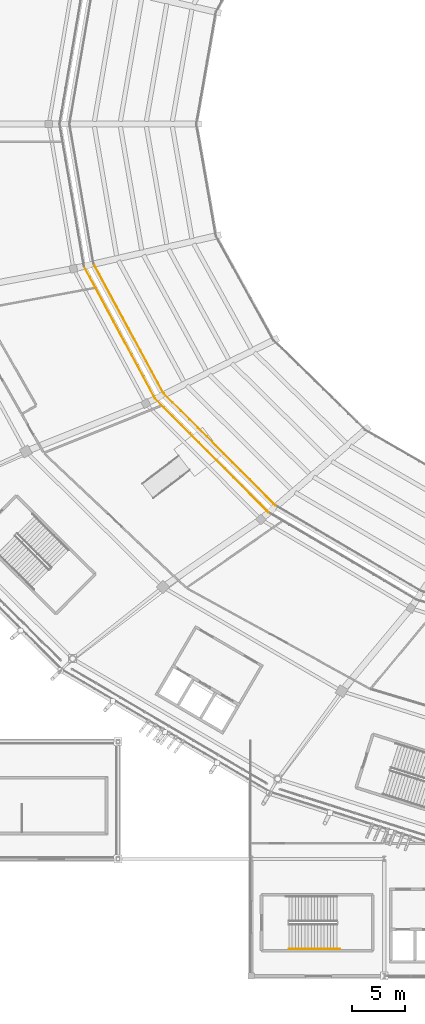
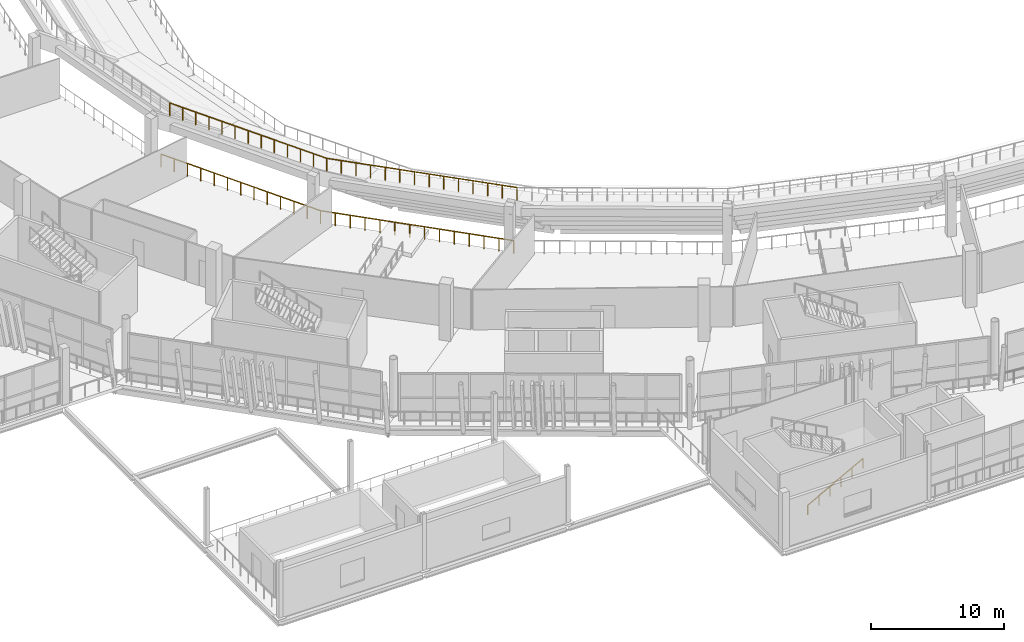
# One storey, part 146 of 178: 5 railings.
"""IFC4 building model written with IfcOpenShell, lengths in metres."""

from ifc_helpers import new_model, si_unit, direction, frame, origin, origin_2d, place, context, subcontext, project, spatial, rectangle, extrude, material, type_object, element, save


model = new_model("IFC4")

# Units and contexts
model_context = context("Model", 3, precision=1e-05, world=origin(), true_north=direction((0.0, 1.0)))
body_context = subcontext(model_context, "Body", "Model", "MODEL_VIEW")
ifc_project = project(units=[si_unit("LENGTHUNIT", "METRE"), si_unit("AREAUNIT", "SQUARE_METRE"), si_unit("VOLUMEUNIT", "CUBIC_METRE"), si_unit("PLANEANGLEUNIT", "RADIAN"), si_unit("MASSUNIT", "GRAM", prefix="KILO")], contexts=[model_context])

# Site, building, storey
site_placement = place(None, origin())
site = spatial("IfcSite", under=ifc_project, at=site_placement, CompositionType="ELEMENT")
building_placement = place(site_placement, origin())
building = spatial("IfcBuilding", under=site, at=building_placement, Name="Zlatoyarsky Gate Stadium", CompositionType="ELEMENT")
storey_placement = place(building_placement, frame((0.0, 0.0, 5.39990234375)))
storey = spatial("IfcBuildingStorey", under=building, at=storey_placement, Name="L01", CompositionType="ELEMENT", Elevation=5.39990234375)

# Railings
ifc_material_1 = material(Name="Powder-coated steel tubular guardrail", Category="steel")
railing_type_1 = type_object("IfcRailingType", Name="CONCOURSE SLAB EDGE GUARDRAIL 1200", PredefinedType="GUARDRAIL", material=ifc_material_1)
railing_1_placement = place(storey_placement, frame((47.20068359375, 66.890869140625, 4.25)))
element("IfcRailing", 1, at=railing_1_placement, inside=storey, type_object=railing_type_1, Name="Lower bowl back guardrail 13", PredefinedType="GUARDRAIL", context=body_context, shape_type="SweptSolid", body=[
    extrude(rectangle(XDim=0.048095703125, YDim=0.048095703125, at=origin_2d()), frame((0.0, 0.0, 1.17578125), z_axis=(0.475251836211, -0.879849812285, 0.0), x_axis=(0.879849812285, 0.475251836211, 0.0)), (0.0, 0.0, 1.0), 13.884033203125),
    extrude(rectangle(XDim=0.0419921875, YDim=0.0419921875, at=origin_2d()), origin(), (0.0, 0.0, 1.0), 1.15185546875),
    extrude(rectangle(XDim=0.0419921875, YDim=0.0419921875, at=origin_2d()), frame((0.5498046875, -1.01806640625, 0.0)), (0.0, 0.0, 1.0), 1.15185546875),
    extrude(rectangle(XDim=0.0419921875, YDim=0.0419921875, at=origin_2d()), frame((1.099609375, -2.035888671875, 0.0)), (0.0, 0.0, 1.0), 1.15185546875),
    extrude(rectangle(XDim=0.0419921875, YDim=0.0419921875, at=origin_2d()), frame((1.649658203125, -3.053955078125, 0.0)), (0.0, 0.0, 1.0), 1.15185546875),
    extrude(rectangle(XDim=0.0419921875, YDim=0.0419921875, at=origin_2d()), frame((2.199462890625, -4.072021484375, 0.0)), (0.0, 0.0, 1.0), 1.15185546875),
    extrude(rectangle(XDim=0.0419921875, YDim=0.0419921875, at=origin_2d()), frame((2.749267578125, -5.08984375, 0.0)), (0.0, 0.0, 1.0), 1.15185546875),
    extrude(rectangle(XDim=0.0419921875, YDim=0.0419921875, at=origin_2d()), frame((3.29931640625, -6.10791015625, 0.0)), (0.0, 0.0, 1.0), 1.15185546875),
    extrude(rectangle(XDim=0.0419921875, YDim=0.0419921875, at=origin_2d()), frame((3.84912109375, -7.1259765625, 0.0)), (0.0, 0.0, 1.0), 1.15185546875),
    extrude(rectangle(XDim=0.0419921875, YDim=0.0419921875, at=origin_2d()), frame((4.39892578125, -8.143798828125, 0.0)), (0.0, 0.0, 1.0), 1.15185546875),
    extrude(rectangle(XDim=0.0419921875, YDim=0.0419921875, at=origin_2d()), frame((4.94873046875, -9.161865234375, 0.0)), (0.0, 0.0, 1.0), 1.15185546875),
    extrude(rectangle(XDim=0.0419921875, YDim=0.0419921875, at=origin_2d()), frame((5.49853515625, -10.179931640625, 0.0)), (0.0, 0.0, 1.0), 1.15185546875),
    extrude(rectangle(XDim=0.0419921875, YDim=0.0419921875, at=origin_2d()), frame((6.048583984375, -11.19775390625, 0.0)), (0.0, 0.0, 1.0), 1.15185546875),
    extrude(rectangle(XDim=0.0419921875, YDim=0.0419921875, at=origin_2d()), frame((6.598388671875, -12.2158203125, 0.0)), (0.0, 0.0, 1.0), 1.15185546875),
])
railing_2_placement = place(storey_placement, frame((46.30224609375, 66.650146484375, 0.0)))
element("IfcRailing", 2, at=railing_2_placement, inside=storey, type_object=railing_type_1, Name="L01 inner bowl edge guardrail 13", PredefinedType="GUARDRAIL", context=body_context, shape_type="SweptSolid", body=[
    extrude(rectangle(XDim=0.048095703125, YDim=0.048095703125, at=origin_2d()), frame((0.0, 0.0, 1.17578125), z_axis=(0.473707090827, -0.880682458154, 0.0), x_axis=(0.880682458154, 0.473707090827, 0.0)), (0.0, 0.0, 1.0), 14.125732421875),
    extrude(rectangle(XDim=0.0419921875, YDim=0.0419921875, at=origin_2d()), origin(), (0.0, 0.0, 1.0), 1.15185546875),
    extrude(rectangle(XDim=0.0419921875, YDim=0.0419921875, at=origin_2d()), frame((0.5576171875, -1.03662109375, 0.0)), (0.0, 0.0, 1.0), 1.15185546875),
    extrude(rectangle(XDim=0.0419921875, YDim=0.0419921875, at=origin_2d()), frame((1.115234375, -2.0732421875, 0.0)), (0.0, 0.0, 1.0), 1.15185546875),
    extrude(rectangle(XDim=0.0419921875, YDim=0.0419921875, at=origin_2d()), frame((1.6728515625, -3.110107421875, 0.0)), (0.0, 0.0, 1.0), 1.15185546875),
    extrude(rectangle(XDim=0.0419921875, YDim=0.0419921875, at=origin_2d()), frame((2.23046875, -4.146728515625, 0.0)), (0.0, 0.0, 1.0), 1.15185546875),
    extrude(rectangle(XDim=0.0419921875, YDim=0.0419921875, at=origin_2d()), frame((2.7880859375, -5.183349609375, 0.0)), (0.0, 0.0, 1.0), 1.15185546875),
    extrude(rectangle(XDim=0.0419921875, YDim=0.0419921875, at=origin_2d()), frame((3.345703125, -6.22021484375, 0.0)), (0.0, 0.0, 1.0), 1.15185546875),
    extrude(rectangle(XDim=0.0419921875, YDim=0.0419921875, at=origin_2d()), frame((3.9033203125, -7.2568359375, 0.0)), (0.0, 0.0, 1.0), 1.15185546875),
    extrude(rectangle(XDim=0.0419921875, YDim=0.0419921875, at=origin_2d()), frame((4.4609375, -8.29345703125, 0.0)), (0.0, 0.0, 1.0), 1.15185546875),
    extrude(rectangle(XDim=0.0419921875, YDim=0.0419921875, at=origin_2d()), frame((5.0185546875, -9.330078125, 0.0)), (0.0, 0.0, 1.0), 1.15185546875),
    extrude(rectangle(XDim=0.0419921875, YDim=0.0419921875, at=origin_2d()), frame((5.576171875, -10.36669921875, 0.0)), (0.0, 0.0, 1.0), 1.15185546875),
    extrude(rectangle(XDim=0.0419921875, YDim=0.0419921875, at=origin_2d()), frame((6.1337890625, -11.403564453125, 0.0)), (0.0, 0.0, 1.0), 1.15185546875),
    extrude(rectangle(XDim=0.0419921875, YDim=0.0419921875, at=origin_2d()), frame((6.69140625, -12.440185546875, 0.0)), (0.0, 0.0, 1.0), 1.15185546875),
])
railing_3_placement = place(storey_placement, frame((53.799072265625, 54.675048828125, 4.25)))
element("IfcRailing", 3, at=railing_3_placement, inside=storey, type_object=railing_type_1, Name="Lower bowl back guardrail 14", PredefinedType="GUARDRAIL", context=body_context, shape_type="SweptSolid", body=[
    extrude(rectangle(XDim=0.048095703125, YDim=0.048095703125, at=origin_2d()), frame((0.0, 0.0, 1.17578125), z_axis=(0.707328845655, -0.706884646957, 0.0), x_axis=(0.706884646957, 0.707328845655, 0.0)), (0.0, 0.0, 1.0), 14.83984375),
    extrude(rectangle(XDim=0.0419921875, YDim=0.0419921875, at=origin_2d()), origin(), (0.0, 0.0, 1.0), 1.15185546875),
    extrude(rectangle(XDim=0.0419921875, YDim=0.0419921875, at=origin_2d()), frame((0.807373046875, -0.806884765625, 0.0)), (0.0, 0.0, 1.0), 1.15185546875),
    extrude(rectangle(XDim=0.0419921875, YDim=0.0419921875, at=origin_2d()), frame((1.61474609375, -1.61376953125, 0.0)), (0.0, 0.0, 1.0), 1.15185546875),
    extrude(rectangle(XDim=0.0419921875, YDim=0.0419921875, at=origin_2d()), frame((2.42236328125, -2.420654296875, 0.0)), (0.0, 0.0, 1.0), 1.15185546875),
    extrude(rectangle(XDim=0.0419921875, YDim=0.0419921875, at=origin_2d()), frame((3.229736328125, -3.227783203125, 0.0)), (0.0, 0.0, 1.0), 1.15185546875),
    extrude(rectangle(XDim=0.0419921875, YDim=0.0419921875, at=origin_2d()), frame((4.037109375, -4.03466796875, 0.0)), (0.0, 0.0, 1.0), 1.15185546875),
    extrude(rectangle(XDim=0.0419921875, YDim=0.0419921875, at=origin_2d()), frame((4.844482421875, -4.841552734375, 0.0)), (0.0, 0.0, 1.0), 1.15185546875),
    extrude(rectangle(XDim=0.0419921875, YDim=0.0419921875, at=origin_2d()), frame((5.652099609375, -5.6484375, 0.0)), (0.0, 0.0, 1.0), 1.15185546875),
    extrude(rectangle(XDim=0.0419921875, YDim=0.0419921875, at=origin_2d()), frame((6.45947265625, -6.455322265625, 0.0)), (0.0, 0.0, 1.0), 1.15185546875),
    extrude(rectangle(XDim=0.0419921875, YDim=0.0419921875, at=origin_2d()), frame((7.266845703125, -7.26220703125, 0.0)), (0.0, 0.0, 1.0), 1.15185546875),
    extrude(rectangle(XDim=0.0419921875, YDim=0.0419921875, at=origin_2d()), frame((8.07421875, -8.0693359375, 0.0)), (0.0, 0.0, 1.0), 1.15185546875),
    extrude(rectangle(XDim=0.0419921875, YDim=0.0419921875, at=origin_2d()), frame((8.8818359375, -8.876220703125, 0.0)), (0.0, 0.0, 1.0), 1.15185546875),
    extrude(rectangle(XDim=0.0419921875, YDim=0.0419921875, at=origin_2d()), frame((9.689208984375, -9.68310546875, 0.0)), (0.0, 0.0, 1.0), 1.15185546875),
    extrude(rectangle(XDim=0.0419921875, YDim=0.0419921875, at=origin_2d()), frame((10.49658203125, -10.489990234375, 0.0)), (0.0, 0.0, 1.0), 1.15185546875),
])
railing_4_placement = place(storey_placement, frame((52.99365234375, 54.2099609375, 0.0)))
element("IfcRailing", 4, at=railing_4_placement, inside=storey, type_object=railing_type_1, Name="L01 inner bowl edge guardrail 14", PredefinedType="GUARDRAIL", context=body_context, shape_type="SweptSolid", body=[
    extrude(rectangle(XDim=0.048095703125, YDim=0.048095703125, at=origin_2d()), frame((0.0, 0.0, 1.17578125), z_axis=(0.70583478362, -0.708376494692, 0.0), x_axis=(0.708376494692, 0.70583478362, 0.0)), (0.0, 0.0, 1.0), 15.080322265625),
    extrude(rectangle(XDim=0.0419921875, YDim=0.0419921875, at=origin_2d()), origin(), (0.0, 0.0, 1.0), 1.15185546875),
    extrude(rectangle(XDim=0.0419921875, YDim=0.0419921875, at=origin_2d()), frame((0.81884765625, -0.82177734375, 0.0)), (0.0, 0.0, 1.0), 1.15185546875),
    extrude(rectangle(XDim=0.0419921875, YDim=0.0419921875, at=origin_2d()), frame((1.6376953125, -1.6435546875, 0.0)), (0.0, 0.0, 1.0), 1.15185546875),
    extrude(rectangle(XDim=0.0419921875, YDim=0.0419921875, at=origin_2d()), frame((2.456298828125, -2.46533203125, 0.0)), (0.0, 0.0, 1.0), 1.15185546875),
    extrude(rectangle(XDim=0.0419921875, YDim=0.0419921875, at=origin_2d()), frame((3.275146484375, -3.286865234375, 0.0)), (0.0, 0.0, 1.0), 1.15185546875),
    extrude(rectangle(XDim=0.0419921875, YDim=0.0419921875, at=origin_2d()), frame((4.093994140625, -4.108642578125, 0.0)), (0.0, 0.0, 1.0), 1.15185546875),
    extrude(rectangle(XDim=0.0419921875, YDim=0.0419921875, at=origin_2d()), frame((4.912841796875, -4.930419921875, 0.0)), (0.0, 0.0, 1.0), 1.15185546875),
    extrude(rectangle(XDim=0.0419921875, YDim=0.0419921875, at=origin_2d()), frame((5.7314453125, -5.752197265625, 0.0)), (0.0, 0.0, 1.0), 1.15185546875),
    extrude(rectangle(XDim=0.0419921875, YDim=0.0419921875, at=origin_2d()), frame((6.55029296875, -6.573974609375, 0.0)), (0.0, 0.0, 1.0), 1.15185546875),
    extrude(rectangle(XDim=0.0419921875, YDim=0.0419921875, at=origin_2d()), frame((7.369140625, -7.395751953125, 0.0)), (0.0, 0.0, 1.0), 1.15185546875),
    extrude(rectangle(XDim=0.0419921875, YDim=0.0419921875, at=origin_2d()), frame((8.18798828125, -8.21728515625, 0.0)), (0.0, 0.0, 1.0), 1.15185546875),
    extrude(rectangle(XDim=0.0419921875, YDim=0.0419921875, at=origin_2d()), frame((9.006591796875, -9.0390625, 0.0)), (0.0, 0.0, 1.0), 1.15185546875),
    extrude(rectangle(XDim=0.0419921875, YDim=0.0419921875, at=origin_2d()), frame((9.825439453125, -9.86083984375, 0.0)), (0.0, 0.0, 1.0), 1.15185546875),
    extrude(rectangle(XDim=0.0419921875, YDim=0.0419921875, at=origin_2d()), frame((10.644287109375, -10.6826171875, 0.0)), (0.0, 0.0, 1.0), 1.15185546875),
])
ifc_material_2 = material(Name="Brushed stainless steel 316 handrail", Category="steel")
railing_type_2 = type_object("IfcRailingType", Name="STAINLESS STEEL TUBULAR HANDRAIL 900", PredefinedType="HANDRAIL", material=ifc_material_2)
railing_5_placement = place(storey_placement, frame((65.550048828125, 2.550048828125, 0.16650390625)))
element("IfcRailing", 5, at=railing_5_placement, inside=storey, type_object=railing_type_2, Name="ST-29 L01 stair handrail 1", PredefinedType="HANDRAIL", context=body_context, shape_type="SweptSolid", body=[
    extrude(rectangle(XDim=0.048095703125, YDim=0.048095703125, at=origin_2d()), frame((0.0, 0.0, 0.8759765625), z_axis=(0.879286503747, 0.0, 0.476293233554), x_axis=(0.0, 1.0, 0.0)), (0.0, 0.0, 1.0), 5.458984375),
    extrude(rectangle(XDim=0.0419921875, YDim=0.0419921875, at=origin_2d()), origin(), (0.0, 0.0, 1.0), 0.851806640625),
    extrude(rectangle(XDim=0.0419921875, YDim=0.0419921875, at=origin_2d()), frame((0.9599609375, 0.0, 0.52001953125)), (0.0, 0.0, 1.0), 0.851806640625),
    extrude(rectangle(XDim=0.0419921875, YDim=0.0419921875, at=origin_2d()), frame((1.919921875, 0.0, 1.0400390625)), (0.0, 0.0, 1.0), 0.851806640625),
    extrude(rectangle(XDim=0.0419921875, YDim=0.0419921875, at=origin_2d()), frame((2.880126953125, 0.0, 1.56005859375)), (0.0, 0.0, 1.0), 0.851806640625),
    extrude(rectangle(XDim=0.0419921875, YDim=0.0419921875, at=origin_2d()), frame((3.840087890625, 0.0, 2.080078125)), (0.0, 0.0, 1.0), 0.851806640625),
    extrude(rectangle(XDim=0.0419921875, YDim=0.0419921875, at=origin_2d()), frame((4.800048828125, 0.0, 2.60009765625)), (0.0, 0.0, 1.0), 0.851806640625),
])

save(model, "model.ifc")
